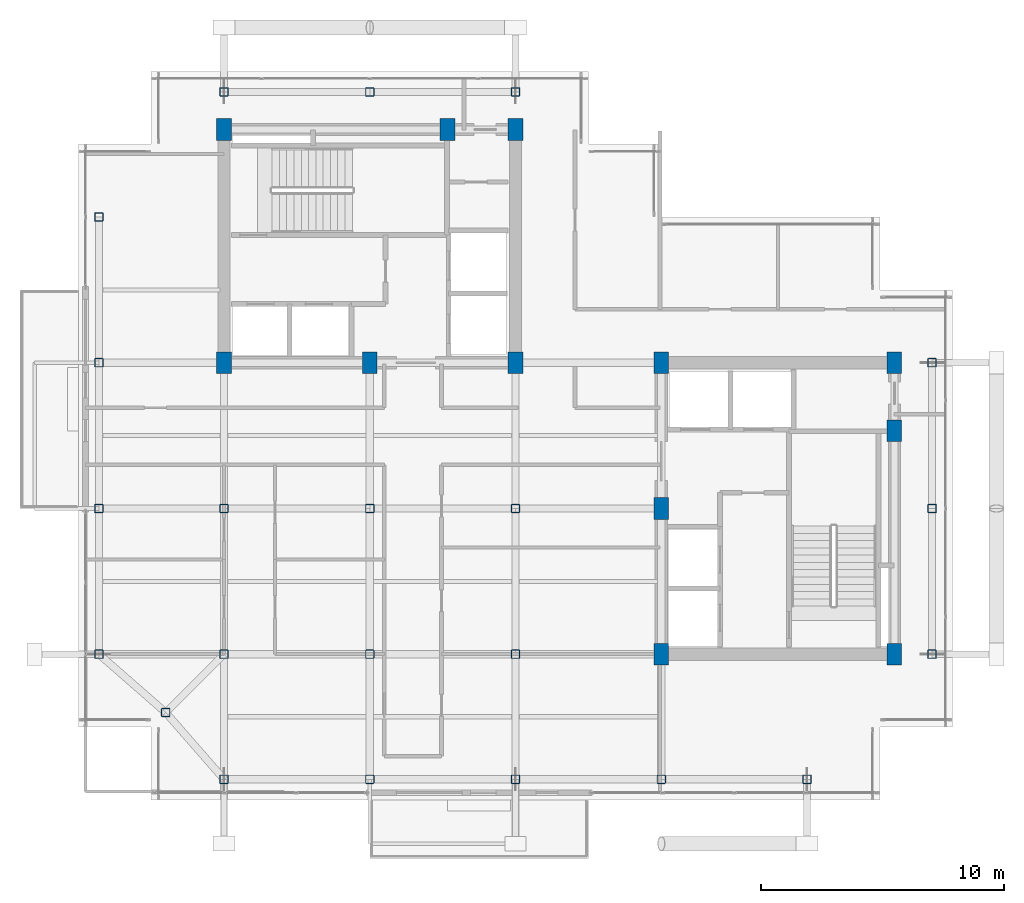
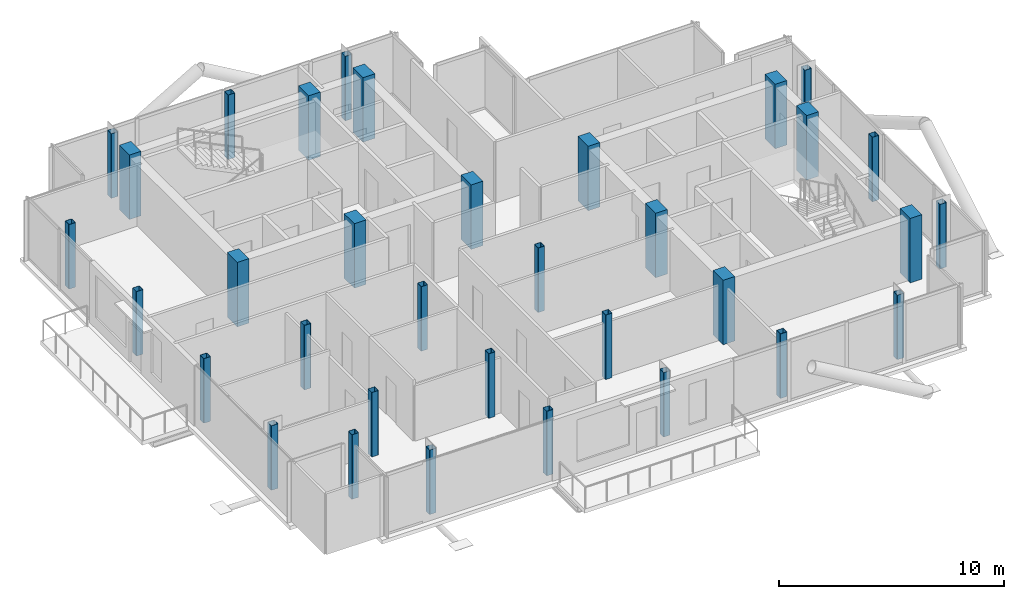
# One storey, part 1 of 18: 34 columns.
"""IFC4 building model written with IfcOpenShell, lengths in metres."""

import ifcopenshell
import ifcopenshell.guid

model = None  # the IFC model being written
_history = None  # IfcOwnerHistory: only IFC2X3 demands one
_inside = {}  # id of a spatial element -> (the spatial element, [elements in it])
_under = {}  # id of a project, library or spatial element -> (it, [spatial elements below it])
_declared = {}  # id of a project -> (the project, [libraries it declares])
_typed = {}  # id of a type object -> (the type object, [elements of that type])
_made_of = {}  # id of a material, layer set ... -> (it, [elements and type objects made of it])


def new_model(schema):
    """Start an empty IFC model of exactly this schema.

    Asked for "IFC4X3", IfcOpenShell would pick the latest addendum, in which some entities
    have other attributes; the version numbers below select the first issue.
    IFC2X3 requires an IfcOwnerHistory on every rooted entity: one is made here for all.
    """
    global model, _history
    if schema == "IFC4X3":
        model = ifcopenshell.file(schema_version=(4, 3, 0, 0))
    else:
        model = ifcopenshell.file(schema=schema)
    _inside.clear()
    _under.clear()
    _declared.clear()
    _typed.clear()
    _made_of.clear()
    _history = None
    if model.schema == "IFC2X3":
        org = make("IfcOrganization", Name="unknown")
        user = make(
            "IfcPersonAndOrganization",
            ThePerson=make("IfcPerson", FamilyName="unknown"),
            TheOrganization=org,
        )
        app = make(
            "IfcApplication",
            ApplicationDeveloper=org,
            Version="unknown",
            ApplicationFullName="unknown",
            ApplicationIdentifier="unknown",
        )
        _history = make(
            "IfcOwnerHistory",
            OwningUser=user,
            OwningApplication=app,
            ChangeAction="ADDED",
            CreationDate=0,
        )
    return model


def make(cls, **values):
    """One entity of the class cls with the attributes given. An attribute that is None is left unset."""
    return model.create_entity(
        cls, **{name: value for name, value in values.items() if value is not None}
    )


def rooted(cls, **values):
    """An entity with a GlobalId (a new one), such as an element, a storey or a relation."""
    return make(cls, GlobalId=ifcopenshell.guid.new(), OwnerHistory=_history, **values)


def si_unit(unit_type, name, prefix=None):
    """IfcSIUnit, for example si_unit("LENGTHUNIT", "METRE", prefix="MILLI")."""
    return make("IfcSIUnit", UnitType=unit_type, Prefix=prefix, Name=name)


def assignment(units):
    """IfcUnitAssignment: the units of a project."""
    return None if units is None else make("IfcUnitAssignment", Units=units)


def point(xyz):
    """IfcCartesianPoint."""
    return None if xyz is None else make("IfcCartesianPoint", Coordinates=xyz)


def direction(xyz):
    """IfcDirection."""
    return None if xyz is None else make("IfcDirection", DirectionRatios=xyz)


def frame(location, z_axis=None, x_axis=None):
    """IfcAxis2Placement3D, a coordinate frame: its origin and axes. An axis left out is left unset."""
    return make(
        "IfcAxis2Placement3D",
        Location=point(location),
        Axis=direction(z_axis),
        RefDirection=direction(x_axis),
    )


def frame_2d(location, x_axis=None):
    """IfcAxis2Placement2D, a coordinate frame in the plane: its origin and x axis."""
    return make(
        "IfcAxis2Placement2D", Location=point(location), RefDirection=direction(x_axis)
    )


def origin():
    """The frame at (0, 0, 0) with its axes left unset."""
    return frame((0.0, 0.0, 0.0))


def origin_2d():
    """The frame at (0, 0) in the plane with its x axis left unset."""
    return frame_2d((0.0, 0.0))


def place(relative_to, where):
    """IfcLocalPlacement: puts the frame where relative to a parent placement (None: the world)."""
    return make(
        "IfcLocalPlacement", PlacementRelTo=relative_to, RelativePlacement=where
    )


def context(
    kind, dimensions, precision=None, world=None, true_north=None, identifier=None
):
    """IfcGeometricRepresentationContext, for example the 3D "Model" context."""
    return make(
        "IfcGeometricRepresentationContext",
        ContextIdentifier=identifier,
        ContextType=kind,
        CoordinateSpaceDimension=dimensions,
        Precision=precision,
        WorldCoordinateSystem=world,
        TrueNorth=true_north,
    )


def subcontext(parent, identifier, kind, view, scale=None):
    """IfcGeometricRepresentationSubContext, for example "Body" below "Model"."""
    return make(
        "IfcGeometricRepresentationSubContext",
        ContextIdentifier=identifier,
        ContextType=kind,
        ParentContext=parent,
        TargetScale=scale,
        TargetView=view,
    )


def project(units=None, contexts=None):
    """IfcProject with its units and contexts."""
    return rooted(
        "IfcProject",
        Name="project",
        RepresentationContexts=contexts,
        UnitsInContext=assignment(units),
    )


def spatial(cls, under=None, at=None, **own):
    """A site, building, storey or space (cls), placed at a placement, below another one or the project."""
    s = rooted(cls, ObjectPlacement=at, **own)
    if under is not None:
        _under.setdefault(under.id(), (under, []))[1].append(s)
    return s


def profile(cls, at=None, kind="AREA", **sizes):
    """A parametric profile (cls). Its sizes go by their IFC names, for example OverallWidth=200.0."""
    return make(cls, ProfileType=kind, Position=at, **sizes)


def rectangle(**sizes):
    """IfcRectangleProfileDef."""
    return profile("IfcRectangleProfileDef", **sizes)


def hollow_rectangle(**sizes):
    """IfcRectangleHollowProfileDef."""
    return profile("IfcRectangleHollowProfileDef", **sizes)


def extrude(swept, where, along, depth):
    """IfcExtrudedAreaSolid: the profile swept, set in the frame where, extruded along a direction by depth."""
    return make(
        "IfcExtrudedAreaSolid",
        SweptArea=swept,
        Position=where,
        ExtrudedDirection=direction(along),
        Depth=depth,
    )


def shape(context_of_items, identifier, shape_type, items):
    """IfcShapeRepresentation: the items that make up one representation, for example the "Body"."""
    return make(
        "IfcShapeRepresentation",
        ContextOfItems=context_of_items,
        RepresentationIdentifier=identifier,
        RepresentationType=shape_type,
        Items=items,
    )


def material(Name=None, Category=None):
    """IfcMaterial."""
    return make("IfcMaterial", Name=Name, Category=Category)


def material_profile(
    of_material, cross_section, Name=None, Category=None, Priority=None
):
    """IfcMaterialProfile: a cross section and its material."""
    return make(
        "IfcMaterialProfile",
        Name=Name,
        Material=of_material,
        Profile=cross_section,
        Priority=Priority,
        Category=Category,
    )


def profile_set(profiles, Name=None, composite=None):
    """IfcMaterialProfileSet."""
    return make(
        "IfcMaterialProfileSet",
        Name=Name,
        MaterialProfiles=profiles,
        CompositeProfile=composite,
    )


def made_of(thing, what):
    """Note that an element or type object is made of a material, layer set ...; save() writes the relation."""
    if what is not None:
        _made_of.setdefault(what.id(), (what, []))[1].append(thing)
    return thing


def type_object(cls, material=None, **own):
    """A type object (cls), such as IfcWallType, which elements share."""
    return made_of(rooted(cls, **own), material)


def element(
    cls,
    number,
    at=None,
    inside=None,
    cuts=None,
    type_object=None,
    material=None,
    context=None,
    identifier="Body",
    shape_type=None,
    held_by="IfcProductDefinitionShape",
    body=None,
    shapes=None,
    **own,
):
    """One element of the class cls, such as IfcWall. Its Tag is "e" and its number.

    at: its placement. inside: the storey or other place that contains it. cuts: it is an
    opening in that element (IfcRelVoidsElement). A single representation is given by context,
    identifier, shape_type and body (its items); several are given by shapes. held_by: the class
    of the entity that holds the representations. save() writes the other relations.
    """
    e = rooted(cls, Tag="e%d" % number, ObjectPlacement=at, **own)
    if body is not None:
        shapes = [shape(context, identifier, shape_type, body)]
    if shapes is not None:
        e.Representation = make(held_by, Representations=shapes)
    if inside is not None:
        _inside.setdefault(inside.id(), (inside, []))[1].append(e)
    if cuts is not None:
        rooted(
            "IfcRelVoidsElement", RelatingBuildingElement=cuts, RelatedOpeningElement=e
        )
    if type_object is not None:
        _typed.setdefault(type_object.id(), (type_object, []))[1].append(e)
    return made_of(e, material)


def aggregate(whole, parts):
    """IfcRelAggregates: a whole, such as a stair, and the parts it consists of."""
    return rooted("IfcRelAggregates", RelatingObject=whole, RelatedObjects=parts)


def save(model, path):
    """Write the relations noted so far, then the file.

    IfcRelAggregates (storeys below a building ...), IfcRelContainedInSpatialStructure (elements
    in a storey), IfcRelDefinesByType, IfcRelAssociatesMaterial and IfcRelDeclares: one each for
    every whole, place, type object, material and project.
    """
    for whole, parts in _under.values():
        aggregate(whole, parts)
    for where, things in _inside.values():
        rooted(
            "IfcRelContainedInSpatialStructure",
            RelatedElements=things,
            RelatingStructure=where,
        )
    for kind, things in _typed.values():
        rooted("IfcRelDefinesByType", RelatedObjects=things, RelatingType=kind)
    for what, things in _made_of.values():
        rooted("IfcRelAssociatesMaterial", RelatedObjects=things, RelatingMaterial=what)
    for by, libraries in _declared.values():
        rooted("IfcRelDeclares", RelatingContext=by, RelatedDefinitions=libraries)
    model.write(path)


model = new_model("IFC4")

# Units and contexts
model_context = context("Model", 3, precision=1e-05, world=origin(), true_north=direction((0.0, 1.0)))
body_context = subcontext(model_context, "Body", "Model", "MODEL_VIEW")
ifc_project = project(units=[si_unit("LENGTHUNIT", "METRE"), si_unit("AREAUNIT", "SQUARE_METRE"), si_unit("VOLUMEUNIT", "CUBIC_METRE"), si_unit("PLANEANGLEUNIT", "RADIAN"), si_unit("MASSUNIT", "GRAM", prefix="KILO"), si_unit("THERMODYNAMICTEMPERATUREUNIT", "KELVIN"), si_unit("POWERUNIT", "WATT")], contexts=[model_context])

# Site, building, storey
site_placement = place(None, origin())
site = spatial("IfcSite", under=ifc_project, at=site_placement, CompositionType="ELEMENT")
building_placement = place(site_placement, origin())
building = spatial("IfcBuilding", under=site, at=building_placement, Name="Svarakhadi Broadcast Tower", CompositionType="ELEMENT")
storey_placement = place(building_placement, frame((0.0, 0.0, 264.199951171875)))
storey = spatial("IfcBuildingStorey", under=building, at=storey_placement, Name="L66", CompositionType="ELEMENT", Elevation=264.199951171875)

# Columns
ifc_material_1 = material(Name="Concrete C50/60 (IS 456 M60)", Category="concrete")
ifc_material_profile_1 = material_profile(ifc_material_1, rectangle(XDim=0.60009765625, YDim=0.89990234375, at=origin_2d()), Name="RC 600x900")
ifc_profile_set_1 = profile_set([ifc_material_profile_1], Name="Concrete C50/60 (IS 456 M60)")
column_type_1 = type_object("IfcColumnType", Name="Col_RC600", PredefinedType="COLUMN", material=ifc_profile_set_1)
for number, where, z_axis, x_axis, name in (
    (1, (6.0, 18.0, 0.0), (0.0, 0.0, 1.0), (1.0, 0.0, 0.0), "L66 Column CW1"),
    (2, (12.0, 18.0, 0.0), (0.0, 0.0, 1.0), (1.0, 0.0, 0.0), "L66 Column CW2"),
    (3, (18.0, 18.0, 0.0), (0.0, 0.0, 1.0), (1.0, 0.0, 0.0), "L66 Column CW3"),
    (4, (6.0, 27.60009765625, 0.0), (0.0, 0.0, 1.0), (1.0, 0.0, 0.0), "L66 Column CW4"),
    (5, (15.199951171875, 27.60009765625, 0.0), (0.0, 0.0, 1.0), (1.0, 0.0, 0.0), "L66 Column CW5"),
    (6, (18.0, 27.60009765625, 0.0), (0.0, 0.0, 1.0), (1.0, 0.0, 0.0), "L66 Column CW6"),
    (7, (24.0, 6.0, 0.0), (0.0, 0.0, 1.0), (1.0, 0.0, 0.0), "L66 Column CE1"),
    (8, (24.0, 12.0, 0.0), (0.0, 0.0, 1.0), (1.0, 0.0, 0.0), "L66 Column CE2"),
    (9, (24.0, 18.0, 0.0), (0.0, 0.0, 1.0), (1.0, 0.0, 0.0), "L66 Column CE3"),
    (10, (33.60009765625, 6.0, 0.0), (0.0, 0.0, 1.0), (1.0, 0.0, 0.0), "L66 Column CE4"),
    (11, (33.60009765625, 15.199951171875, 0.0), (0.0, 0.0, 1.0), (1.0, 0.0, 0.0), "L66 Column CE5"),
    (12, (33.60009765625, 18.0, 0.0), (0.0, 0.0, 1.0), (1.0, 0.0, 0.0), "L66 Column CE6"),
):
    element("IfcColumn", number, at=place(storey_placement, frame(where, z_axis=z_axis, x_axis=x_axis)), inside=storey, type_object=column_type_1, Name=name, PredefinedType="COLUMN", context=body_context, shape_type="SweptSolid", body=[
        extrude(rectangle(XDim=0.60009765625, YDim=0.89990234375, at=origin_2d()), origin(), (0.0, 0.0, 1.0), 3.5),
    ])
ifc_material_2 = material(Name="Steel S460ML (IS 2062 E450BR)", Category="steel")
ifc_material_profile_2 = material_profile(ifc_material_2, hollow_rectangle(XDim=0.35009765625, YDim=0.35009765625, WallThickness=0.01611328125, InnerFilletRadius=0.01611328125, OuterFilletRadius=0.031982421875, at=origin_2d()), Name="SHS 350x350x16")
ifc_profile_set_2 = profile_set([ifc_material_profile_2], Name="Steel S460ML (IS 2062 E450BR)")
column_type_2 = type_object("IfcColumnType", Name="Col_SHS350", PredefinedType="COLUMN", material=ifc_profile_set_2)
for number, where, z_axis, x_axis, name in (
    (13, (3.60009765625, 3.60009765625, 0.0), (0.0, 0.0, 1.0), (1.0, 0.0, 0.0), "L66 Column G01"),
    (14, (0.85009765625, 6.0, 0.0), (0.0, 0.0, 1.0), (1.0, 0.0, 0.0), "L66 Column G03"),
    (15, (0.85009765625, 12.0, 0.0), (0.0, 0.0, 1.0), (1.0, 0.0, 0.0), "L66 Column G04"),
    (16, (0.85009765625, 18.0, 0.0), (0.0, 0.0, 1.0), (1.0, 0.0, 0.0), "L66 Column G05"),
    (17, (0.85009765625, 24.0, 0.0), (0.0, 0.0, 1.0), (1.0, 0.0, 0.0), "L66 Column G06"),
    (18, (6.0, 0.85009765625, 0.0), (0.0, 0.0, 1.0), (1.0, 0.0, 0.0), "L66 Column G11"),
    (19, (6.0, 6.0, 0.0), (0.0, 0.0, 1.0), (1.0, 0.0, 0.0), "L66 Column G12"),
    (20, (6.0, 12.0, 0.0), (0.0, 0.0, 1.0), (1.0, 0.0, 0.0), "L66 Column G13"),
    (21, (6.0, 29.14990234375, 0.0), (0.0, 0.0, 1.0), (1.0, 0.0, 0.0), "L66 Column G14"),
    (22, (12.0, 0.85009765625, 0.0), (0.0, 0.0, 1.0), (1.0, 0.0, 0.0), "L66 Column G18"),
    (23, (12.0, 6.0, 0.0), (0.0, 0.0, 1.0), (1.0, 0.0, 0.0), "L66 Column G19"),
    (24, (12.0, 12.0, 0.0), (0.0, 0.0, 1.0), (1.0, 0.0, 0.0), "L66 Column G20"),
    (25, (12.0, 29.14990234375, 0.0), (0.0, 0.0, 1.0), (1.0, 0.0, 0.0), "L66 Column G21"),
    (26, (18.0, 0.85009765625, 0.0), (0.0, 0.0, 1.0), (1.0, 0.0, 0.0), "L66 Column G25"),
    (27, (18.0, 6.0, 0.0), (0.0, 0.0, 1.0), (1.0, 0.0, 0.0), "L66 Column G26"),
    (28, (18.0, 12.0, 0.0), (0.0, 0.0, 1.0), (1.0, 0.0, 0.0), "L66 Column G27"),
    (29, (18.0, 29.14990234375, 0.0), (0.0, 0.0, 1.0), (1.0, 0.0, 0.0), "L66 Column G28"),
    (30, (24.0, 0.85009765625, 0.0), (0.0, 0.0, 1.0), (1.0, 0.0, 0.0), "L66 Column G32"),
    (31, (30.0, 0.85009765625, 0.0), (0.0, 0.0, 1.0), (1.0, 0.0, 0.0), "L66 Column G36"),
    (32, (35.14990234375, 6.0, 0.0), (0.0, 0.0, 1.0), (1.0, 0.0, 0.0), "L66 Column G39"),
    (33, (35.14990234375, 12.0, 0.0), (0.0, 0.0, 1.0), (1.0, 0.0, 0.0), "L66 Column G40"),
    (34, (35.14990234375, 18.0, 0.0), (0.0, 0.0, 1.0), (1.0, 0.0, 0.0), "L66 Column G41"),
):
    element("IfcColumn", number, at=place(storey_placement, frame(where, z_axis=z_axis, x_axis=x_axis)), inside=storey, type_object=column_type_2, Name=name, PredefinedType="COLUMN", context=body_context, shape_type="SweptSolid", body=[
        extrude(hollow_rectangle(XDim=0.35009765625, YDim=0.35009765625, WallThickness=0.01611328125, InnerFilletRadius=0.01611328125, OuterFilletRadius=0.031982421875, at=origin_2d()), origin(), (0.0, 0.0, 1.0), 3.5),
    ])

save(model, "model.ifc")
